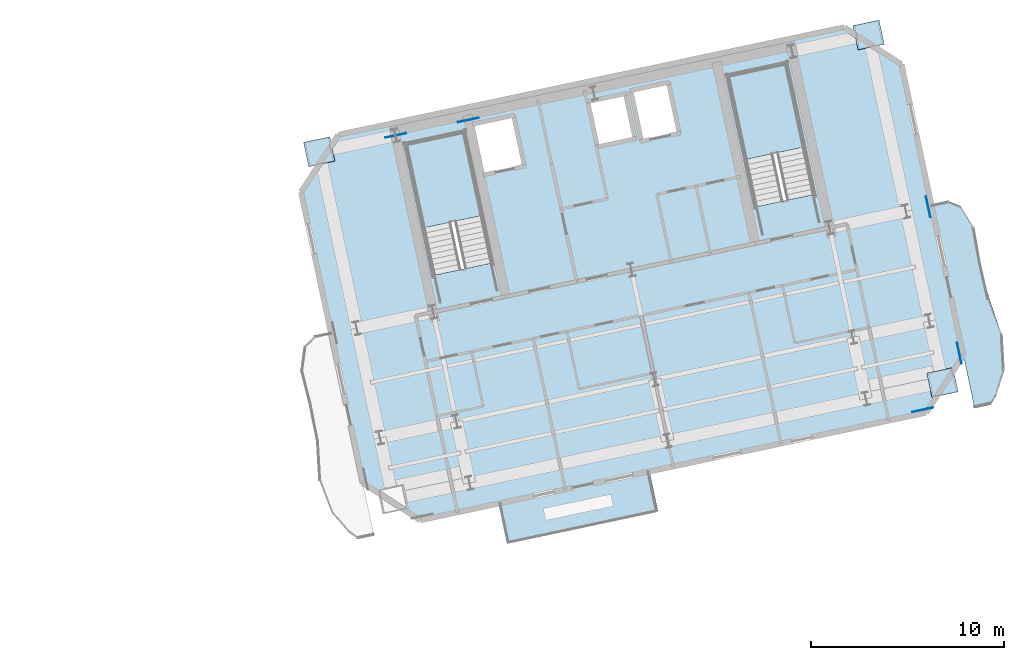
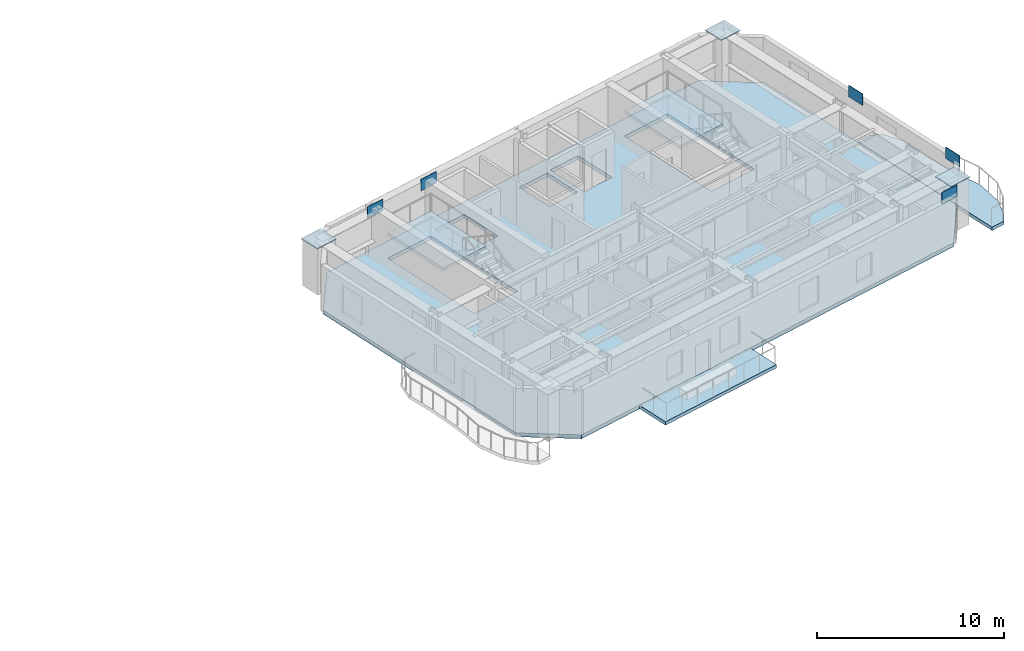
# One storey, part 6 of 16: 8 plates, 5 slabs, 2 elements without a shape of their own.
"""IFC4 building model written with IfcOpenShell, lengths in metres."""

from ifc_helpers import new_model, si_unit, direction, frame, origin, origin_2d, place, context, subcontext, project, spatial, polyline, rectangle, outline, extrude, material, layer, layer_set, type_object, element, aggregate, save


model = new_model("IFC4")

# Units and contexts
model_context = context("Model", 3, precision=1e-05, world=origin(), true_north=direction((0.0, 1.0)))
body_context = subcontext(model_context, "Body", "Model", "MODEL_VIEW")
ifc_project = project(units=[si_unit("LENGTHUNIT", "METRE"), si_unit("AREAUNIT", "SQUARE_METRE"), si_unit("VOLUMEUNIT", "CUBIC_METRE"), si_unit("PLANEANGLEUNIT", "RADIAN"), si_unit("MASSUNIT", "GRAM", prefix="KILO")], contexts=[model_context])

# Site, building, storey
site_placement = place(None, origin())
site = spatial("IfcSite", under=ifc_project, at=site_placement, CompositionType="ELEMENT")
building_placement = place(site_placement, origin())
building = spatial("IfcBuilding", under=site, at=building_placement, Name="Haevon Station Towers", CompositionType="ELEMENT")
storey_placement = place(building_placement, frame((0.0, 0.0, 172.5)))
storey = spatial("IfcBuildingStorey", under=building, at=storey_placement, Name="L47", CompositionType="ELEMENT", Elevation=172.5)

# Plates
ifc_material_1 = material(Name="PL-FLG1", Category="steel")
ifc_layer_1 = layer(ifc_material_1, 0.044921875)
ifc_layer_set_1 = layer_set([ifc_layer_1], Name="PL-FLG1")
plate_type_1 = type_object("IfcPlateType", Name="PL-FLG1", PredefinedType="USERDEFINED", material=ifc_layer_set_1)
for number, where, z_axis, x_axis, name in (
    (1, (92.846923828125, 45.74609375, 3.050048828125), (0.0, 0.0, 1.0), (0.978147600734, 0.207911690818, 0.0), "PL-CAP-T2-L47-01-04"),
    (2, (125.138671875, 33.78857421875, 3.050048828125), (0.0, 0.0, 1.0), (0.978147600734, 0.207911690818, 0.0), "PL-CAP-T2-L47-05-01"),
    (3, (121.31103515625, 51.79638671875, 3.050048828125), (0.0, 0.0, 1.0), (0.978147600734, 0.207911690818, 0.0), "PL-CAP-T2-L47-05-04"),
):
    element("IfcPlate", number, at=place(storey_placement, frame(where, z_axis=z_axis, x_axis=x_axis)), inside=storey, type_object=plate_type_1, Name=name, ObjectType="FLANGE_PLATE", PredefinedType="USERDEFINED", context=body_context, shape_type="SweptSolid", body=[
        extrude(rectangle(XDim=1.389892578125, YDim=1.2900390625, at=origin_2d()), origin(), (0.0, 0.0, 1.0), 0.0400390625),
    ])
ifc_material_2 = material(Name="PL-SPL1", Category="steel")
ifc_layer_2 = layer(ifc_material_2, 0.031982421875)
ifc_layer_set_2 = layer_set([ifc_layer_2], Name="PL-SPL1")
plate_type_2 = type_object("IfcPlateType", Name="PL-SPL1", PredefinedType="USERDEFINED", material=ifc_layer_set_2)
for number, where, z_axis, x_axis, name in (
    (4, (124.1103515625, 32.373779296875, 2.77490234375), (0.0, 0.0, 1.0), (0.978147600734, 0.207911690818, 0.0), "PL-T2SPL-T06-S-4"),
    (5, (96.808349609375, 46.588134765625, 2.77490234375), (0.0, 0.0, 1.0), (0.978147600734, 0.207911690818, 0.0), "PL-T2SPL-T06-N-3"),
    (6, (100.57421875, 47.388671875, 2.77490234375), (0.0, 0.0, 1.0), (0.978147600734, 0.207911690818, 0.0), "PL-T2SPL-T06-N-4"),
    (7, (126.0126953125, 35.303466796875, 2.77490234375), (0.0, 0.0, 1.0), (-0.207911690818, 0.978147600734, 0.0), "PL-T2SPL-T06-E-3"),
    (8, (124.3994140625, 42.893798828125, 2.77490234375), (0.0, 0.0, 1.0), (-0.207911690818, 0.978147600734, 0.0), "PL-T2SPL-T06-E-4"),
):
    element("IfcPlate", number, at=place(storey_placement, frame(where, z_axis=z_axis, x_axis=x_axis)), inside=storey, type_object=plate_type_2, Name=name, ObjectType="SPLICE_PLATE", PredefinedType="USERDEFINED", context=body_context, shape_type="SweptSolid", body=[
        extrude(rectangle(XDim=1.10009765625, YDim=0.031982421875, at=origin_2d()), origin(), (0.0, 0.0, 1.0), 0.75),
    ])

# Slabs
ifc_material_3 = material(Name="Concrete C40/50", Category="concrete")
ifc_layer_3 = layer(ifc_material_3, 0.219970703125)
ifc_layer_set_3 = layer_set([ifc_layer_3], Name="Concrete C40/50")
slab_type_1 = type_object("IfcSlabType", Name="SL-BALC220", PredefinedType="FLOOR", material=ifc_layer_set_3)
slab_1_placement = place(storey_placement, frame((0.0, 0.0, -0.219970703125)))
element("IfcSlab", 9, at=slab_1_placement, inside=storey, type_object=slab_type_1, Name="Tower 2 L47 East SCALLOPED BALCONY", PredefinedType="FLOOR", context=body_context, shape_type="SweptSolid", body=[
    extrude(outline(polyline([(126.80615234375, 32.461181640625), (127.637451171875, 32.637939453125), (127.926513671875, 33.11962890625), (128.328125, 34.401611328125), (128.244140625, 36.1748046875), (127.56201171875, 38.142578125), (127.04931640625, 40.146240234375), (126.740234375, 41.87158203125), (126.077392578125, 42.927490234375), (125.39208984375, 43.201904296875), (124.560546875, 43.025146484375), (126.80615234375, 32.461181640625)])), origin(), (0.0, 0.0, 1.0), 0.219970703125),
])
slab_2_placement = place(storey_placement, frame((0.0, 0.0, -0.219970703125)))
element("IfcSlab", 10, at=slab_2_placement, inside=storey, type_object=slab_type_1, Name="Tower 2 L47 Planted Balcony Band", PredefinedType="FLOOR", context=body_context, shape_type="SweptSolid", body=[
    extrude(outline(polyline([(102.575927734375, 25.465576171875), (110.401123046875, 27.12890625), (109.965576171875, 29.17822265625), (102.140380859375, 27.514892578125), (102.575927734375, 25.465576171875)])), origin(), (0.0, 0.0, 1.0), 0.219970703125),
])

# Stair, slab
stair_type = type_object("IfcStairType", Name="STR-DL1450", PredefinedType="USERDEFINED", material=ifc_material_3)
stair_1_placement = place(storey_placement, origin())
stair_1 = element("IfcStair", 11, at=stair_1_placement, inside=storey, type_object=stair_type, Name="L47 Escape Stair ST3", ObjectType="TWO_RETURN_STAIR", PredefinedType="USERDEFINED")
ifc_layer_4 = layer(ifc_material_3, 0.199951171875)
ifc_layer_set_4 = layer_set([ifc_layer_4], Name="Concrete C40/50")
slab_type_2 = type_object("IfcSlabType", Name="SL-LND200", PredefinedType="LANDING", material=ifc_layer_set_4)
slab_3_placement = place(storey_placement, frame((0.0, 0.0, 1.449951171875)))
slab_3 = element("IfcSlab", 12, at=slab_3_placement, type_object=slab_type_2, Name="L47 ST3 Half Landing 1", PredefinedType="LANDING", context=body_context, shape_type="SweptSolid", body=[
    extrude(outline(polyline([(101.2880859375, 42.44287109375), (100.36572265625, 46.781982421875), (97.33349609375, 46.137451171875), (98.255859375, 41.79833984375), (101.2880859375, 42.44287109375)])), origin(), (0.0, 0.0, 1.0), 0.199951171875),
])
aggregate(stair_1, [slab_3])

stair_2_placement = place(storey_placement, origin())
stair_2 = element("IfcStair", 13, at=stair_2_placement, inside=storey, type_object=stair_type, Name="L47 Escape Stair ST4", ObjectType="TWO_RETURN_STAIR", PredefinedType="USERDEFINED")
slab_4_placement = place(storey_placement, frame((0.0, 0.0, 1.449951171875)))
slab_4 = element("IfcSlab", 14, at=slab_4_placement, type_object=slab_type_2, Name="L47 ST4 Half Landing 1", PredefinedType="LANDING", context=body_context, shape_type="SweptSolid", body=[
    extrude(outline(polyline([(117.975341796875, 45.989990234375), (117.052978515625, 50.328857421875), (114.020751953125, 49.684326171875), (114.943115234375, 45.345458984375), (117.975341796875, 45.989990234375)])), origin(), (0.0, 0.0, 1.0), 0.199951171875),
])
aggregate(stair_2, [slab_4])

# Slab
ifc_layer_5 = layer(ifc_material_3, 0.25)
ifc_layer_set_5 = layer_set([ifc_layer_5], Name="Concrete C40/50")
slab_type_3 = type_object("IfcSlabType", Name="SL-TW250", PredefinedType="FLOOR", material=ifc_layer_set_5)
slab_5_placement = place(storey_placement, frame((0.0, 0.0, -0.25)))
element("IfcSlab", 15, at=slab_5_placement, inside=storey, type_object=slab_type_3, Name="SL-T2-L47", PredefinedType="FLOOR", context=body_context, shape_type="SweptSolid", body=[
    extrude(outline(polyline([(98.080078125, 26.656982421875), (124.29443359375, 32.22900390625), (126.219970703125, 35.194091796875), (123.01611328125, 50.267333984375), (120.051025390625, 52.19287109375), (93.836669921875, 46.620849609375), (91.9111328125, 43.65576171875), (95.114990234375, 28.58251953125), (98.080078125, 26.656982421875)]), holes=[polyline([(101.8095703125, 39.98974609375), (100.36572265625, 46.781982421875), (97.33349609375, 46.137451171875), (98.77734375, 39.34521484375), (101.8095703125, 39.98974609375)]), polyline([(118.496826171875, 43.53662109375), (117.052978515625, 50.328857421875), (114.020751953125, 49.684326171875), (115.464599609375, 42.89208984375), (118.496826171875, 43.53662109375)]), polyline([(101.43212890625, 44.554931640625), (103.486328125, 44.99169921875), (102.9248046875, 47.632568359375), (100.870849609375, 47.196044921875), (101.43212890625, 44.554931640625)]), polyline([(107.259521484375, 45.998046875), (109.2158203125, 46.413818359375), (108.716796875, 48.761474609375), (106.760498046875, 48.345703125), (107.259521484375, 45.998046875)]), polyline([(109.55078125, 46.28076171875), (111.507080078125, 46.696533203125), (110.94580078125, 49.33740234375), (108.989501953125, 48.921630859375), (109.55078125, 46.28076171875)])]), origin(), (0.0, 0.0, 1.0), 0.25),
])

save(model, "model.ifc")
